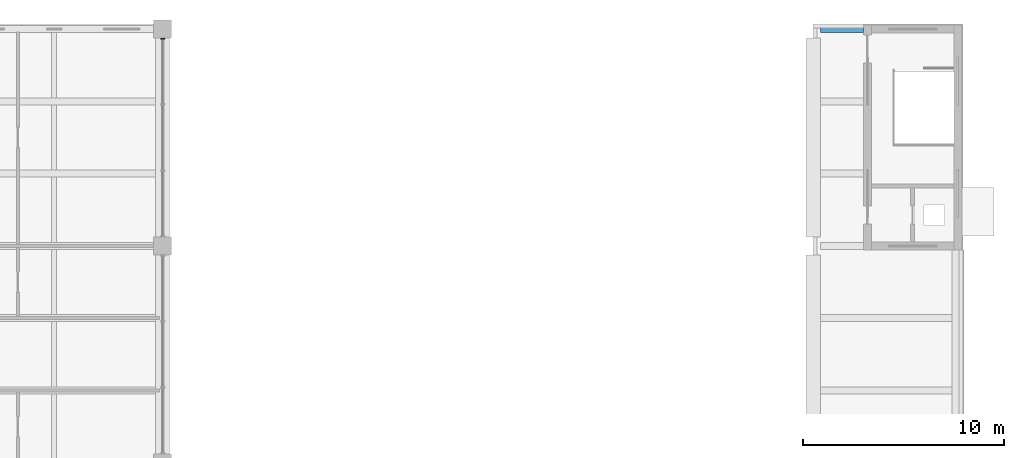
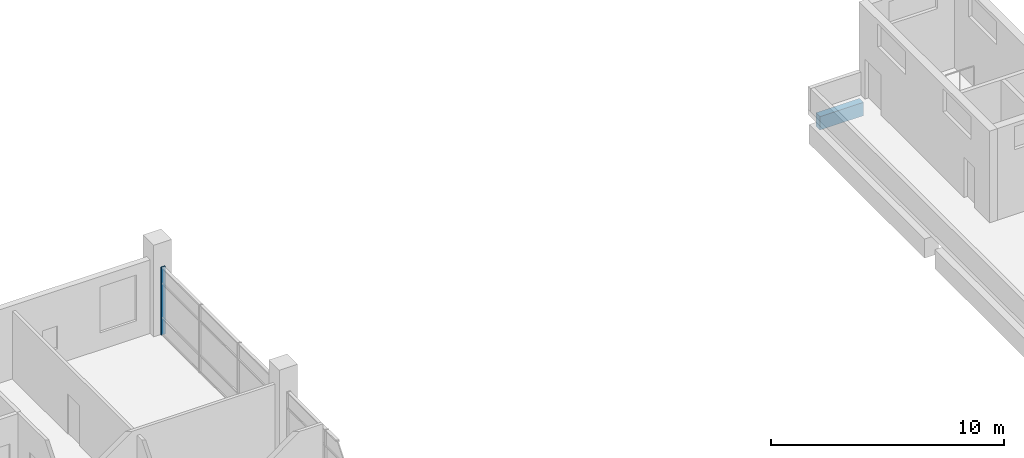
# One storey, part 11 of 23: 1 beam, 1 member, 1 element without a shape of its own.
"""IFC4 building model written with IfcOpenShell, lengths in metres."""

from ifc_helpers import new_model, si_unit, direction, frame, origin, origin_2d, place, context, subcontext, project, spatial, rectangle, extrude, material, layer, layer_set, material_profile, profile_set, type_object, element, aggregate, save


model = new_model("IFC4")

# Units and contexts
model_context = context("Model", 3, precision=1e-05, world=origin(), true_north=direction((0.0, 1.0)))
body_context = subcontext(model_context, "Body", "Model", "MODEL_VIEW")
ifc_project = project(units=[si_unit("LENGTHUNIT", "METRE"), si_unit("AREAUNIT", "SQUARE_METRE"), si_unit("VOLUMEUNIT", "CUBIC_METRE"), si_unit("PLANEANGLEUNIT", "RADIAN"), si_unit("MASSUNIT", "GRAM", prefix="KILO")], contexts=[model_context])

# Site, building, storey
site_placement = place(None, origin())
site = spatial("IfcSite", under=ifc_project, at=site_placement, CompositionType="ELEMENT")
building_placement = place(site_placement, origin())
building = spatial("IfcBuilding", under=site, at=building_placement, Name="Basin Gate Institute", CompositionType="ELEMENT")
storey_placement = place(building_placement, frame((0.0, 0.0, 46.199951171875)))
storey = spatial("IfcBuildingStorey", under=building, at=storey_placement, Name="L09", CompositionType="ELEMENT", Elevation=46.199951171875)

# Beam
ifc_material_1 = material(Name="Concrete 40 MPa", Category="concrete")
ifc_material_profile_1 = material_profile(ifc_material_1, rectangle(XDim=0.35009765625, YDim=0.699951171875, at=origin_2d()), Name="Beam B1 350 x 700")
ifc_profile_set_1 = profile_set([ifc_material_profile_1], Name="Concrete 40 MPa")
beam_type = type_object("IfcBeamType", Name="Beam B1 R120", PredefinedType="BEAM", material=ifc_profile_set_1)
beam_placement = place(storey_placement, frame((114.10009765625, 99.89990234375, -0.599853515625), z_axis=(-1.0, 0.0, 0.0), x_axis=(0.0, -1.0, 0.0)))
element("IfcBeam", 1, at=beam_placement, inside=storey, type_object=beam_type, material=ifc_profile_set_1, Name="BEAM/L09/E/CORR/19", PredefinedType="BEAM", context=body_context, shape_type="SweptSolid", body=[
    extrude(rectangle(XDim=0.35009765625, YDim=0.699951171875, at=origin_2d()), origin(), (0.0, 0.0, 1.0), 2.150146484375),
])

# Curtain wall, member
ifc_material_2 = material(Name="Aluminium-framed glazing", Category="aluminium")
ifc_layer = layer(ifc_material_2, 0.199951171875)
ifc_layer_set = layer_set([ifc_layer], Name="Atrium curtain wall CW2")
curtain_wall_type = type_object("IfcCurtainWallType", Name="Atrium curtain wall CW2", PredefinedType="NOTDEFINED", material=ifc_layer_set)
curtain_wall_placement = place(storey_placement, origin())
curtain_wall = element("IfcCurtainWall", 2, at=curtain_wall_placement, inside=storey, type_object=curtain_wall_type, material=ifc_layer_set, Name="Atrium curtain wall W wing atrium bay 6 L09", PredefinedType="NOTDEFINED")
ifc_material_3 = material(Name="Aluminium", Category="aluminium")
ifc_material_profile_2 = material_profile(ifc_material_3, rectangle(XDim=0.199951171875, YDim=0.06005859375, at=origin_2d()), Name="Mullion MU2 200 x 60")
ifc_profile_set_2 = profile_set([ifc_material_profile_2], Name="Aluminium")
member_type = type_object("IfcMemberType", Name="Mullion MU2", PredefinedType="MULLION", material=ifc_profile_set_2)
member_placement = place(storey_placement, frame((79.199951171875, 99.419921875, 0.0), z_axis=(0.0, 0.0, 1.0), x_axis=(-1.0, 0.0, 0.0)))
member = element("IfcMember", 3, at=member_placement, type_object=member_type, material=ifc_profile_set_2, Name="CW2 mullion 4", PredefinedType="MULLION", context=body_context, shape_type="SweptSolid", body=[
    extrude(rectangle(XDim=0.199951171875, YDim=0.06005859375, at=origin_2d()), origin(), (0.0, 0.0, 1.0), 3.550048828125),
])
aggregate(curtain_wall, [member])

save(model, "model.ifc")
